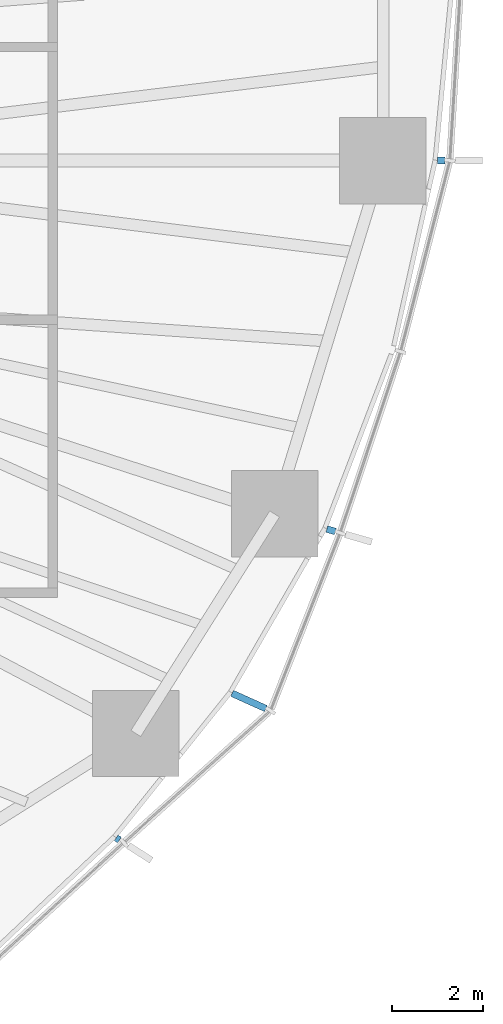
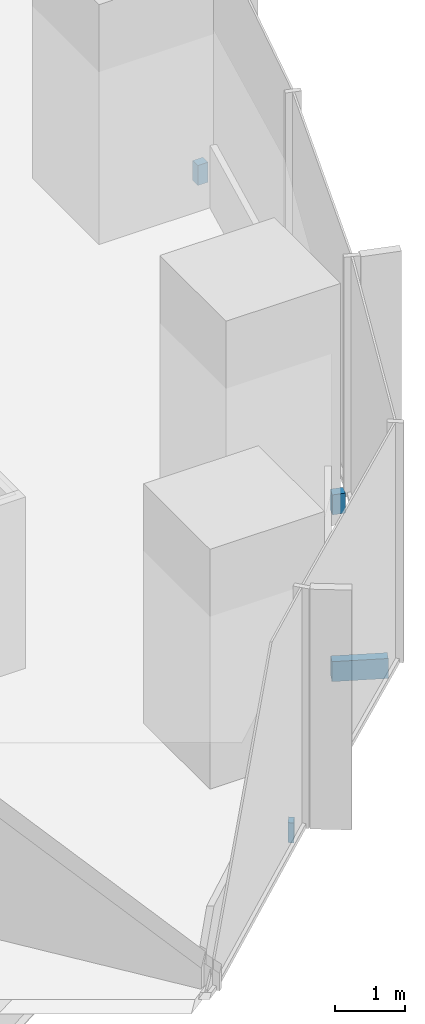
# One storey, part 14 of 20: 4 discrete accessories.
"""IFC4 building model written with IfcOpenShell, lengths in metres."""

from ifc_helpers import new_model, si_unit, direction, frame, origin, origin_2d, place, context, subcontext, project, spatial, rectangle, extrude, material, type_object, element, save


model = new_model("IFC4")

# Units and contexts
model_context = context("Model", 3, precision=1e-05, world=origin(), true_north=direction((0.0, 1.0)))
body_context = subcontext(model_context, "Body", "Model", "MODEL_VIEW")
ifc_project = project(units=[si_unit("LENGTHUNIT", "METRE"), si_unit("AREAUNIT", "SQUARE_METRE"), si_unit("VOLUMEUNIT", "CUBIC_METRE"), si_unit("PLANEANGLEUNIT", "RADIAN"), si_unit("MASSUNIT", "GRAM", prefix="KILO")], contexts=[model_context])

# Site, building, storey
site_placement = place(None, origin())
site = spatial("IfcSite", under=ifc_project, at=site_placement, CompositionType="ELEMENT")
building_placement = place(site_placement, origin())
building = spatial("IfcBuilding", under=site, at=building_placement, Name="Ghaith Harvest Tower", CompositionType="ELEMENT")
storey_placement = place(building_placement, frame((0.0, 0.0, 109.199951171875)))
storey = spatial("IfcBuildingStorey", under=building, at=storey_placement, Name="L22", CompositionType="ELEMENT", Elevation=109.199951171875)

# Discrete accessories
ifc_material_1 = material(Name="Stainless steel grade 1.4401", Category="steel")
discrete_accessory_type_1 = type_object("IfcDiscreteAccessoryType", Name="CURTAIN WALL BRACKET 165", PredefinedType="BRACKET", material=ifc_material_1)
discrete_accessory_1_placement = place(storey_placement, frame((30.5361328125, 0.0, -0.25), z_axis=(0.0, 0.0, 1.0), x_axis=(1.0, 0.0, 0.0)))
element("IfcDiscreteAccessory", 1, at=discrete_accessory_1_placement, inside=storey, type_object=discrete_accessory_type_1, Name="CW-L bracket 1 bay 01 L22", PredefinedType="BRACKET", context=body_context, shape_type="SweptSolid", body=[
    extrude(rectangle(XDim=0.1650390625, YDim=0.14990234375, at=origin_2d()), origin(), (0.0, 0.0, 1.0), 0.35009765625),
])
ifc_material_2 = material(Name="Stainless steel grade 1.4401", Category="steel")
discrete_accessory_type_2 = type_object("IfcDiscreteAccessoryType", Name="CURTAIN WALL BRACKET 195", PredefinedType="BRACKET", material=ifc_material_2)
discrete_accessory_2_placement = place(storey_placement, frame((28.1201171875, -8.127197265625, -0.25), z_axis=(0.0, 0.0, 1.0), x_axis=(0.960680349932, -0.277656739976, 0.0)))
element("IfcDiscreteAccessory", 2, at=discrete_accessory_2_placement, inside=storey, type_object=discrete_accessory_type_2, Name="CW-L bracket 1 bay 20 L22", PredefinedType="BRACKET", context=body_context, shape_type="SweptSolid", body=[
    extrude(rectangle(XDim=0.195068359375, YDim=0.14990234375, at=origin_2d()), origin(), (0.0, 0.0, 1.0), 0.35009765625),
])
ifc_material_3 = material(Name="Stainless steel grade 1.4401", Category="steel")
discrete_accessory_type_3 = type_object("IfcDiscreteAccessoryType", Name="CURTAIN WALL BRACKET 815", PredefinedType="BRACKET", material=ifc_material_3)
discrete_accessory_3_placement = place(storey_placement, frame((26.314697265625, -11.879638671875, -0.25), z_axis=(0.0, 0.0, 1.0), x_axis=(0.911426750831, -0.41146236507, 0.0)))
element("IfcDiscreteAccessory", 3, at=discrete_accessory_3_placement, inside=storey, type_object=discrete_accessory_type_3, Name="CW-L bracket 2 bay 19 L22", PredefinedType="BRACKET", context=body_context, shape_type="SweptSolid", body=[
    extrude(rectangle(XDim=0.81494140625, YDim=0.14990234375, at=origin_2d()), origin(), (0.0, 0.0, 1.0), 0.35009765625),
])
ifc_material_4 = material(Name="Stainless steel grade 1.4401", Category="steel")
discrete_accessory_type_4 = type_object("IfcDiscreteAccessoryType", Name="CURTAIN WALL BRACKET 85", PredefinedType="BRACKET", material=ifc_material_4)
discrete_accessory_4_placement = place(storey_placement, frame((23.431884765625, -14.912353515625, -0.25), z_axis=(0.0, 0.0, 1.0), x_axis=(0.84364397137, -0.536903016913, 0.0)))
element("IfcDiscreteAccessory", 4, at=discrete_accessory_4_placement, inside=storey, type_object=discrete_accessory_type_4, Name="CW-L bracket 1 bay 19 L22", PredefinedType="BRACKET", context=body_context, shape_type="SweptSolid", body=[
    extrude(rectangle(XDim=0.0849609375, YDim=0.14990234375, at=origin_2d()), origin(), (0.0, 0.0, 1.0), 0.35009765625),
])

save(model, "model.ifc")
